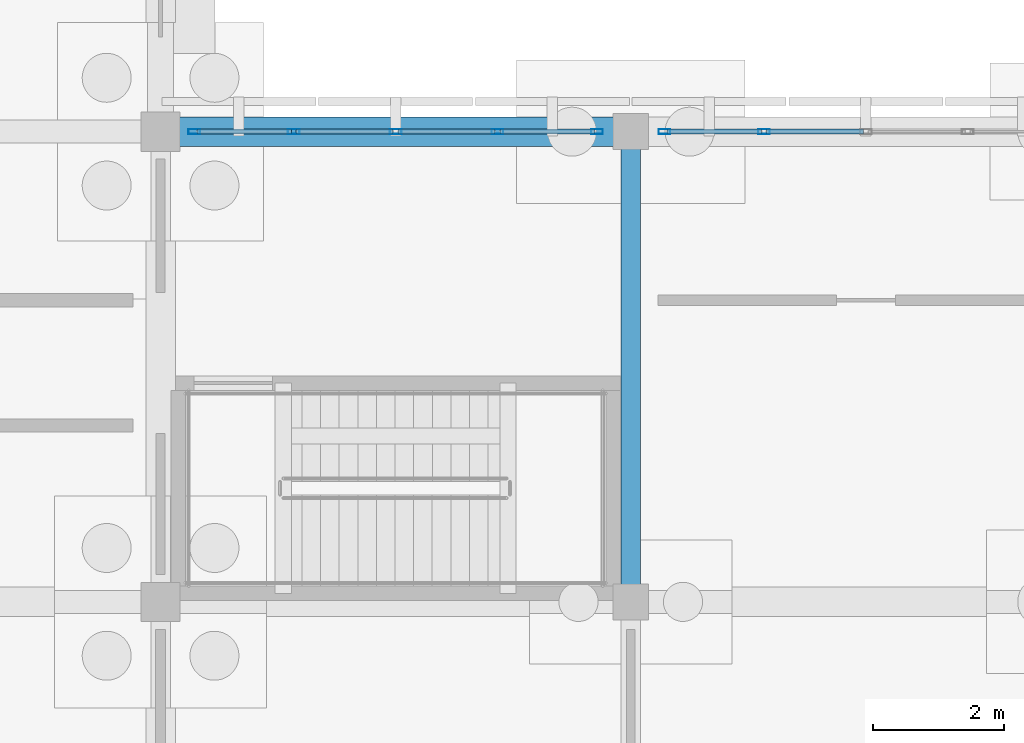
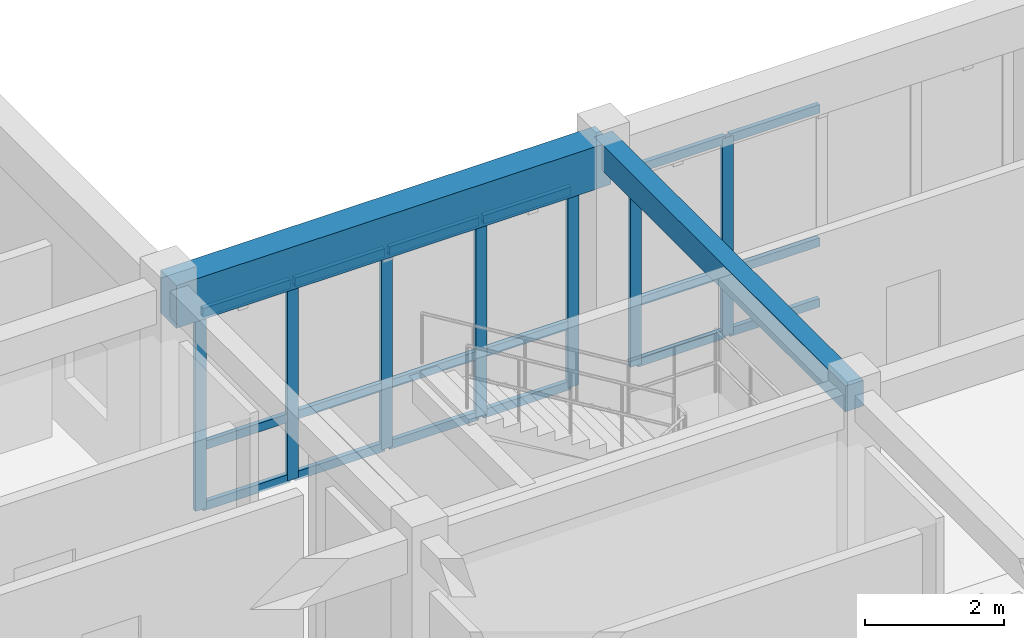
# One storey, part 28 of 111: 25 members, 2 beams, 2 elements without a shape of their own.
"""IFC4 building model written with IfcOpenShell, lengths in metres."""

from ifc_helpers import new_model, si_unit, direction, frame, origin, origin_2d, place, context, subcontext, project, spatial, rectangle, hollow_rectangle, extrude, material, material_profile, profile_set, type_object, element, aggregate, save


model = new_model("IFC4")

# Units and contexts
model_context = context("Model", 3, precision=1e-05, world=origin(), true_north=direction((0.0, 1.0)))
body_context = subcontext(model_context, "Body", "Model", "MODEL_VIEW")
ifc_project = project(units=[si_unit("LENGTHUNIT", "METRE"), si_unit("AREAUNIT", "SQUARE_METRE"), si_unit("VOLUMEUNIT", "CUBIC_METRE"), si_unit("PLANEANGLEUNIT", "RADIAN"), si_unit("MASSUNIT", "GRAM", prefix="KILO")], contexts=[model_context])

# Site, building, storey
site_placement = place(None, origin())
site = spatial("IfcSite", under=ifc_project, at=site_placement, CompositionType="ELEMENT")
building_placement = place(site_placement, origin())
building = spatial("IfcBuilding", under=site, at=building_placement, Name="Aldebral Square Health Centre", CompositionType="ELEMENT")
storey_placement = place(building_placement, origin())
storey = spatial("IfcBuildingStorey", under=building, at=storey_placement, Name="L00", CompositionType="ELEMENT", Elevation=0.0)

# Beams
ifc_material_1 = material(Name="Concrete C40/50", Category="concrete")
ifc_material_profile_1 = material_profile(ifc_material_1, rectangle(XDim=0.300048828125, YDim=0.449951171875, at=origin_2d()), Name="RC 300x450")
ifc_profile_set_1 = profile_set([ifc_material_profile_1], Name="Concrete C40/50")
beam_type_1 = type_object("IfcBeamType", Name="BM-B5", PredefinedType="BEAM", material=ifc_profile_set_1)
beam_1_placement = place(storey_placement, frame((72.0, 93.60009765625, 3.9951171875), z_axis=(0.0, 1.0, 0.0), x_axis=(-1.0, 0.0, 0.0)))
element("IfcBeam", 1, at=beam_1_placement, inside=storey, type_object=beam_type_1, Name="L00 Y-beam G11/14-15", PredefinedType="BEAM", context=body_context, shape_type="SweptSolid", body=[
    extrude(rectangle(XDim=0.300048828125, YDim=0.449951171875, at=origin_2d()), origin(), (0.0, 0.0, 1.0), 7.199951171875),
])
ifc_material_profile_2 = material_profile(ifc_material_1, rectangle(XDim=0.449951171875, YDim=0.75, at=origin_2d()), Name="RC 450x750")
ifc_profile_set_2 = profile_set([ifc_material_profile_2], Name="Concrete C40/50")
beam_type_2 = type_object("IfcBeamType", Name="BM-G2", PredefinedType="T_BEAM", material=ifc_profile_set_2)
beam_2_placement = place(storey_placement, frame((64.800048828125, 100.800048828125, 3.844970703125), z_axis=(1.0, 0.0, 0.0), x_axis=(0.0, 1.0, 0.0)))
element("IfcBeam", 2, at=beam_2_placement, inside=storey, type_object=beam_type_2, Name="L00 X-beam 10-11/G15", PredefinedType="T_BEAM", context=body_context, shape_type="SweptSolid", body=[
    extrude(rectangle(XDim=0.449951171875, YDim=0.75, at=origin_2d()), origin(), (0.0, 0.0, 1.0), 7.199951171875),
])

# Curtain wall, members
ifc_material_2 = material(Name="Aluminium and low-E solar glass", Category="aluminium")
curtain_wall_type = type_object("IfcCurtainWallType", Name="CW-HALL-SYS", PredefinedType="USERDEFINED", material=ifc_material_2)
curtain_wall_1_placement = place(storey_placement, origin())
curtain_wall_1 = element("IfcCurtainWall", 3, at=curtain_wall_1_placement, inside=storey, type_object=curtain_wall_type, Name="L00 V1 hall curtain wall L00-V1-09-13-N", ObjectType="HALL_CURTAIN_WALL", PredefinedType="USERDEFINED")
ifc_material_3 = material(Name="Anodised aluminium mullion", Category="aluminium")
ifc_material_profile_3 = material_profile(ifc_material_3, hollow_rectangle(XDim=0.074951171875, YDim=0.179931640625, WallThickness=0.00390625, at=origin_2d()), Name="CWM 75x180x4")
ifc_profile_set_3 = profile_set([ifc_material_profile_3], Name="Anodised aluminium mullion")
member_type_1 = type_object("IfcMemberType", Name="CWM-STD", PredefinedType="MULLION", material=ifc_profile_set_3)
member_1_placement = place(storey_placement, frame((71.482421875, 100.800048828125, 0.0), z_axis=(0.0, 0.0, 1.0), x_axis=(0.0, -1.0, 0.0)))
member_1 = element("IfcMember", 4, at=member_1_placement, type_object=member_type_1, Name="CW2 mullion 1", PredefinedType="MULLION", context=body_context, shape_type="SweptSolid", body=[
    extrude(hollow_rectangle(XDim=0.074951171875, YDim=0.179931640625, WallThickness=0.00390625, at=origin_2d()), origin(), (0.0, 0.0, 1.0), 3.469970703125),
])
member_2_placement = place(storey_placement, frame((69.9599609375, 100.800048828125, 0.0), z_axis=(0.0, 0.0, 1.0), x_axis=(0.0, -1.0, 0.0)))
member_2 = element("IfcMember", 5, at=member_2_placement, type_object=member_type_1, Name="CW2 mullion 2", PredefinedType="MULLION", context=body_context, shape_type="SweptSolid", body=[
    extrude(hollow_rectangle(XDim=0.074951171875, YDim=0.179931640625, WallThickness=0.00390625, at=origin_2d()), origin(), (0.0, 0.0, 1.0), 3.469970703125),
])
member_3_placement = place(storey_placement, frame((68.39990234375, 100.800048828125, 0.0), z_axis=(0.0, 0.0, 1.0), x_axis=(0.0, -1.0, 0.0)))
member_3 = element("IfcMember", 6, at=member_3_placement, type_object=member_type_1, Name="CW2 mullion 3", PredefinedType="MULLION", context=body_context, shape_type="SweptSolid", body=[
    extrude(hollow_rectangle(XDim=0.074951171875, YDim=0.179931640625, WallThickness=0.00390625, at=origin_2d()), origin(), (0.0, 0.0, 1.0), 3.469970703125),
])
member_4_placement = place(storey_placement, frame((66.840087890625, 100.800048828125, 0.0), z_axis=(0.0, 0.0, 1.0), x_axis=(0.0, -1.0, 0.0)))
member_4 = element("IfcMember", 7, at=member_4_placement, type_object=member_type_1, Name="CW2 mullion 4", PredefinedType="MULLION", context=body_context, shape_type="SweptSolid", body=[
    extrude(hollow_rectangle(XDim=0.074951171875, YDim=0.179931640625, WallThickness=0.00390625, at=origin_2d()), origin(), (0.0, 0.0, 1.0), 3.469970703125),
])
member_5_placement = place(storey_placement, frame((65.3173828125, 100.800048828125, 0.0), z_axis=(0.0, 0.0, 1.0), x_axis=(0.0, -1.0, 0.0)))
member_5 = element("IfcMember", 8, at=member_5_placement, type_object=member_type_1, Name="CW2 mullion 5", PredefinedType="MULLION", context=body_context, shape_type="SweptSolid", body=[
    extrude(hollow_rectangle(XDim=0.074951171875, YDim=0.179931640625, WallThickness=0.00390625, at=origin_2d()), origin(), (0.0, 0.0, 1.0), 3.469970703125),
])

curtain_wall_2_placement = place(storey_placement, origin())
curtain_wall_2 = element("IfcCurtainWall", 9, at=curtain_wall_2_placement, inside=storey, type_object=curtain_wall_type, Name="L00 V1 hall curtain wall L00-V1-10-13-N", ObjectType="HALL_CURTAIN_WALL", PredefinedType="USERDEFINED")
member_6_placement = place(storey_placement, frame((74.0400390625, 100.800048828125, 0.0), z_axis=(0.0, 0.0, 1.0), x_axis=(0.0, -1.0, 0.0)))
member_6 = element("IfcMember", 10, at=member_6_placement, type_object=member_type_1, Name="CW2 mullion 4", PredefinedType="MULLION", context=body_context, shape_type="SweptSolid", body=[
    extrude(hollow_rectangle(XDim=0.074951171875, YDim=0.179931640625, WallThickness=0.00390625, at=origin_2d()), origin(), (0.0, 0.0, 1.0), 3.469970703125),
])
member_7_placement = place(storey_placement, frame((72.517578125, 100.800048828125, 0.0), z_axis=(0.0, 0.0, 1.0), x_axis=(0.0, -1.0, 0.0)))
member_7 = element("IfcMember", 11, at=member_7_placement, type_object=member_type_1, Name="CW2 mullion 5", PredefinedType="MULLION", context=body_context, shape_type="SweptSolid", body=[
    extrude(hollow_rectangle(XDim=0.074951171875, YDim=0.179931640625, WallThickness=0.00390625, at=origin_2d()), origin(), (0.0, 0.0, 1.0), 3.469970703125),
])

# Member
ifc_material_4 = material(Name="Anodised aluminium transom", Category="aluminium")
ifc_material_profile_4 = material_profile(ifc_material_4, hollow_rectangle(XDim=0.074951171875, YDim=0.14990234375, WallThickness=0.00390625, at=origin_2d()), Name="CWT 75x150x4")
ifc_profile_set_4 = profile_set([ifc_material_profile_4], Name="Anodised aluminium transom")
member_type_2 = type_object("IfcMemberType", Name="CWT-STD", PredefinedType="USERDEFINED", material=ifc_profile_set_4)
member_8_placement = place(storey_placement, frame((71.445068359375, 100.800048828125, 0.03759765625), z_axis=(-1.0, 0.0, 0.0), x_axis=(0.0, -1.0, 0.0)))
member_8 = element("IfcMember", 12, at=member_8_placement, type_object=member_type_2, Name="CW2 transom 1.1", ObjectType="TRANSOM", PredefinedType="USERDEFINED", context=body_context, shape_type="SweptSolid", body=[
    extrude(hollow_rectangle(XDim=0.074951171875, YDim=0.14990234375, WallThickness=0.00390625, at=origin_2d()), origin(), (0.0, 0.0, 1.0), 1.447509765625),
])

member_9_placement = place(storey_placement, frame((71.445068359375, 100.800048828125, 1.10009765625), z_axis=(-1.0, 0.0, 0.0), x_axis=(0.0, -1.0, 0.0)))
member_9 = element("IfcMember", 13, at=member_9_placement, type_object=member_type_2, Name="CW2 transom 1.2", ObjectType="TRANSOM", PredefinedType="USERDEFINED", context=body_context, shape_type="SweptSolid", body=[
    extrude(hollow_rectangle(XDim=0.074951171875, YDim=0.14990234375, WallThickness=0.00390625, at=origin_2d()), origin(), (0.0, 0.0, 1.0), 1.447509765625),
])

member_10_placement = place(storey_placement, frame((71.445068359375, 100.800048828125, 3.4326171875), z_axis=(-1.0, 0.0, 0.0), x_axis=(0.0, -1.0, 0.0)))
member_10 = element("IfcMember", 14, at=member_10_placement, type_object=member_type_2, Name="CW2 transom 1.3", ObjectType="TRANSOM", PredefinedType="USERDEFINED", context=body_context, shape_type="SweptSolid", body=[
    extrude(hollow_rectangle(XDim=0.074951171875, YDim=0.14990234375, WallThickness=0.00390625, at=origin_2d()), origin(), (0.0, 0.0, 1.0), 1.447509765625),
])

member_11_placement = place(storey_placement, frame((69.922607421875, 100.800048828125, 0.03759765625), z_axis=(-1.0, 0.0, 0.0), x_axis=(0.0, -1.0, 0.0)))
member_11 = element("IfcMember", 15, at=member_11_placement, type_object=member_type_2, Name="CW2 transom 2.1", ObjectType="TRANSOM", PredefinedType="USERDEFINED", context=body_context, shape_type="SweptSolid", body=[
    extrude(hollow_rectangle(XDim=0.074951171875, YDim=0.14990234375, WallThickness=0.00390625, at=origin_2d()), origin(), (0.0, 0.0, 1.0), 1.485107421875),
])

member_12_placement = place(storey_placement, frame((69.922607421875, 100.800048828125, 1.10009765625), z_axis=(-1.0, 0.0, 0.0), x_axis=(0.0, -1.0, 0.0)))
member_12 = element("IfcMember", 16, at=member_12_placement, type_object=member_type_2, Name="CW2 transom 2.2", ObjectType="TRANSOM", PredefinedType="USERDEFINED", context=body_context, shape_type="SweptSolid", body=[
    extrude(hollow_rectangle(XDim=0.074951171875, YDim=0.14990234375, WallThickness=0.00390625, at=origin_2d()), origin(), (0.0, 0.0, 1.0), 1.485107421875),
])

member_13_placement = place(storey_placement, frame((69.922607421875, 100.800048828125, 3.4326171875), z_axis=(-1.0, 0.0, 0.0), x_axis=(0.0, -1.0, 0.0)))
member_13 = element("IfcMember", 17, at=member_13_placement, type_object=member_type_2, Name="CW2 transom 2.3", ObjectType="TRANSOM", PredefinedType="USERDEFINED", context=body_context, shape_type="SweptSolid", body=[
    extrude(hollow_rectangle(XDim=0.074951171875, YDim=0.14990234375, WallThickness=0.00390625, at=origin_2d()), origin(), (0.0, 0.0, 1.0), 1.485107421875),
])

member_14_placement = place(storey_placement, frame((68.362548828125, 100.800048828125, 0.03759765625), z_axis=(-1.0, 0.0, 0.0), x_axis=(0.0, -1.0, 0.0)))
member_14 = element("IfcMember", 18, at=member_14_placement, type_object=member_type_2, Name="CW2 transom 3.1", ObjectType="TRANSOM", PredefinedType="USERDEFINED", context=body_context, shape_type="SweptSolid", body=[
    extrude(hollow_rectangle(XDim=0.074951171875, YDim=0.14990234375, WallThickness=0.00390625, at=origin_2d()), origin(), (0.0, 0.0, 1.0), 1.485107421875),
])

member_15_placement = place(storey_placement, frame((68.362548828125, 100.800048828125, 1.10009765625), z_axis=(-1.0, 0.0, 0.0), x_axis=(0.0, -1.0, 0.0)))
member_15 = element("IfcMember", 19, at=member_15_placement, type_object=member_type_2, Name="CW2 transom 3.2", ObjectType="TRANSOM", PredefinedType="USERDEFINED", context=body_context, shape_type="SweptSolid", body=[
    extrude(hollow_rectangle(XDim=0.074951171875, YDim=0.14990234375, WallThickness=0.00390625, at=origin_2d()), origin(), (0.0, 0.0, 1.0), 1.485107421875),
])

member_16_placement = place(storey_placement, frame((68.362548828125, 100.800048828125, 3.4326171875), z_axis=(-1.0, 0.0, 0.0), x_axis=(0.0, -1.0, 0.0)))
member_16 = element("IfcMember", 20, at=member_16_placement, type_object=member_type_2, Name="CW2 transom 3.3", ObjectType="TRANSOM", PredefinedType="USERDEFINED", context=body_context, shape_type="SweptSolid", body=[
    extrude(hollow_rectangle(XDim=0.074951171875, YDim=0.14990234375, WallThickness=0.00390625, at=origin_2d()), origin(), (0.0, 0.0, 1.0), 1.485107421875),
])

member_17_placement = place(storey_placement, frame((66.802490234375, 100.800048828125, 0.03759765625), z_axis=(-1.0, 0.0, 0.0), x_axis=(0.0, -1.0, 0.0)))
member_17 = element("IfcMember", 21, at=member_17_placement, type_object=member_type_2, Name="CW2 transom 4.1", ObjectType="TRANSOM", PredefinedType="USERDEFINED", context=body_context, shape_type="SweptSolid", body=[
    extrude(hollow_rectangle(XDim=0.074951171875, YDim=0.14990234375, WallThickness=0.00390625, at=origin_2d()), origin(), (0.0, 0.0, 1.0), 1.447509765625),
])

member_18_placement = place(storey_placement, frame((66.802490234375, 100.800048828125, 1.10009765625), z_axis=(-1.0, 0.0, 0.0), x_axis=(0.0, -1.0, 0.0)))
member_18 = element("IfcMember", 22, at=member_18_placement, type_object=member_type_2, Name="CW2 transom 4.2", ObjectType="TRANSOM", PredefinedType="USERDEFINED", context=body_context, shape_type="SweptSolid", body=[
    extrude(hollow_rectangle(XDim=0.074951171875, YDim=0.14990234375, WallThickness=0.00390625, at=origin_2d()), origin(), (0.0, 0.0, 1.0), 1.447509765625),
])

member_19_placement = place(storey_placement, frame((66.802490234375, 100.800048828125, 3.4326171875), z_axis=(-1.0, 0.0, 0.0), x_axis=(0.0, -1.0, 0.0)))
member_19 = element("IfcMember", 23, at=member_19_placement, type_object=member_type_2, Name="CW2 transom 4.3", ObjectType="TRANSOM", PredefinedType="USERDEFINED", context=body_context, shape_type="SweptSolid", body=[
    extrude(hollow_rectangle(XDim=0.074951171875, YDim=0.14990234375, WallThickness=0.00390625, at=origin_2d()), origin(), (0.0, 0.0, 1.0), 1.447509765625),
])

aggregate(curtain_wall_1, [member_1, member_2, member_3, member_4, member_5, member_8, member_9, member_10, member_11, member_12, member_13, member_14, member_15, member_16, member_17, member_18, member_19])

member_20_placement = place(storey_placement, frame((75.5625, 100.800048828125, 0.03759765625), z_axis=(-1.0, 0.0, 0.0), x_axis=(0.0, -1.0, 0.0)))
member_20 = element("IfcMember", 24, at=member_20_placement, type_object=member_type_2, Name="CW2 transom 3.1", ObjectType="TRANSOM", PredefinedType="USERDEFINED", context=body_context, shape_type="SweptSolid", body=[
    extrude(hollow_rectangle(XDim=0.074951171875, YDim=0.14990234375, WallThickness=0.00390625, at=origin_2d()), origin(), (0.0, 0.0, 1.0), 1.485107421875),
])

member_21_placement = place(storey_placement, frame((75.5625, 100.800048828125, 1.10009765625), z_axis=(-1.0, 0.0, 0.0), x_axis=(0.0, -1.0, 0.0)))
member_21 = element("IfcMember", 25, at=member_21_placement, type_object=member_type_2, Name="CW2 transom 3.2", ObjectType="TRANSOM", PredefinedType="USERDEFINED", context=body_context, shape_type="SweptSolid", body=[
    extrude(hollow_rectangle(XDim=0.074951171875, YDim=0.14990234375, WallThickness=0.00390625, at=origin_2d()), origin(), (0.0, 0.0, 1.0), 1.485107421875),
])

member_22_placement = place(storey_placement, frame((75.5625, 100.800048828125, 3.4326171875), z_axis=(-1.0, 0.0, 0.0), x_axis=(0.0, -1.0, 0.0)))
member_22 = element("IfcMember", 26, at=member_22_placement, type_object=member_type_2, Name="CW2 transom 3.3", ObjectType="TRANSOM", PredefinedType="USERDEFINED", context=body_context, shape_type="SweptSolid", body=[
    extrude(hollow_rectangle(XDim=0.074951171875, YDim=0.14990234375, WallThickness=0.00390625, at=origin_2d()), origin(), (0.0, 0.0, 1.0), 1.485107421875),
])

member_23_placement = place(storey_placement, frame((74.00244140625, 100.800048828125, 0.03759765625), z_axis=(-1.0, 0.0, 0.0), x_axis=(0.0, -1.0, 0.0)))
member_23 = element("IfcMember", 27, at=member_23_placement, type_object=member_type_2, Name="CW2 transom 4.1", ObjectType="TRANSOM", PredefinedType="USERDEFINED", context=body_context, shape_type="SweptSolid", body=[
    extrude(hollow_rectangle(XDim=0.074951171875, YDim=0.14990234375, WallThickness=0.00390625, at=origin_2d()), origin(), (0.0, 0.0, 1.0), 1.447509765625),
])

member_24_placement = place(storey_placement, frame((74.00244140625, 100.800048828125, 1.10009765625), z_axis=(-1.0, 0.0, 0.0), x_axis=(0.0, -1.0, 0.0)))
member_24 = element("IfcMember", 28, at=member_24_placement, type_object=member_type_2, Name="CW2 transom 4.2", ObjectType="TRANSOM", PredefinedType="USERDEFINED", context=body_context, shape_type="SweptSolid", body=[
    extrude(hollow_rectangle(XDim=0.074951171875, YDim=0.14990234375, WallThickness=0.00390625, at=origin_2d()), origin(), (0.0, 0.0, 1.0), 1.447509765625),
])

member_25_placement = place(storey_placement, frame((74.00244140625, 100.800048828125, 3.4326171875), z_axis=(-1.0, 0.0, 0.0), x_axis=(0.0, -1.0, 0.0)))
member_25 = element("IfcMember", 29, at=member_25_placement, type_object=member_type_2, Name="CW2 transom 4.3", ObjectType="TRANSOM", PredefinedType="USERDEFINED", context=body_context, shape_type="SweptSolid", body=[
    extrude(hollow_rectangle(XDim=0.074951171875, YDim=0.14990234375, WallThickness=0.00390625, at=origin_2d()), origin(), (0.0, 0.0, 1.0), 1.447509765625),
])

aggregate(curtain_wall_2, [member_6, member_7, member_20, member_21, member_22, member_23, member_24, member_25])

save(model, "model.ifc")
